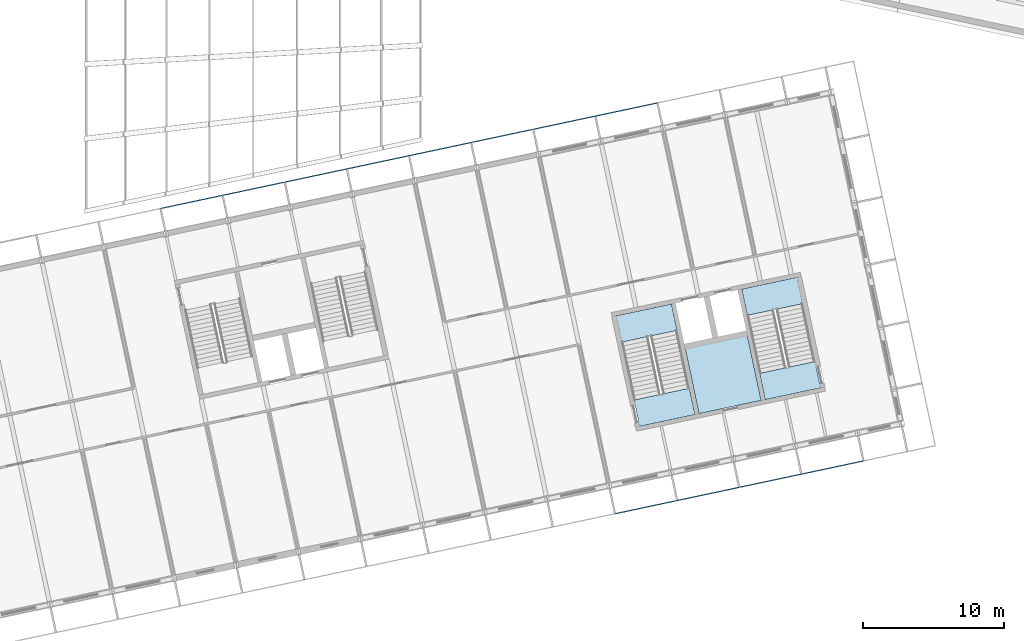
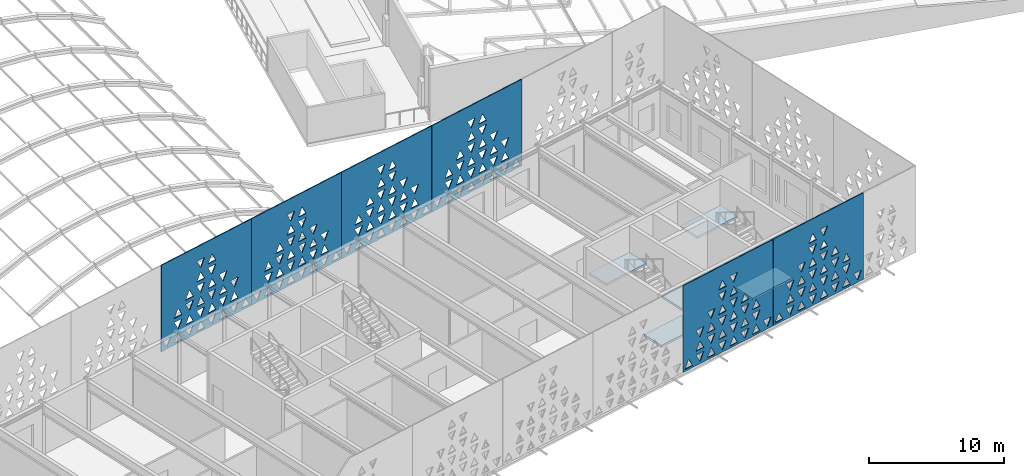
# One storey, part 110 of 196: 6 plates, 5 slabs, 2 elements without a shape of their own.
"""IFC4 building model written with IfcOpenShell, lengths in metres."""

from ifc_helpers import new_model, si_unit, direction, frame, origin, place, context, subcontext, project, spatial, polyline, outline, extrude, material, layer, layer_set, type_object, element, aggregate, save


model = new_model("IFC4")

# Units and contexts
model_context = context("Model", 3, precision=1e-05, world=origin(), true_north=direction((0.0, 1.0)))
body_context = subcontext(model_context, "Body", "Model", "MODEL_VIEW")
ifc_project = project(units=[si_unit("LENGTHUNIT", "METRE"), si_unit("AREAUNIT", "SQUARE_METRE"), si_unit("VOLUMEUNIT", "CUBIC_METRE"), si_unit("PLANEANGLEUNIT", "RADIAN"), si_unit("MASSUNIT", "GRAM", prefix="KILO")], contexts=[model_context])

# Site, building, storey
site_placement = place(None, origin())
site = spatial("IfcSite", under=ifc_project, at=site_placement, CompositionType="ELEMENT")
building_placement = place(site_placement, origin())
building = spatial("IfcBuilding", under=site, at=building_placement, Name="Okhra Congress Centre", CompositionType="ELEMENT")
storey_placement = place(building_placement, frame((0.0, 0.0, 12.0)))
storey = spatial("IfcBuildingStorey", under=building, at=storey_placement, Name="L02", CompositionType="ELEMENT", Elevation=12.0)

# Slabs
ifc_material_1 = material(Name="Concrete C30/37", Category="concrete")
ifc_layer_1 = layer(ifc_material_1, 0.199951171875)
ifc_layer_set_1 = layer_set([ifc_layer_1], Name="RC floor slab 200 REI 120 C30/37")
slab_type_1 = type_object("IfcSlabType", Name="RC floor slab 200 REI 120 C30/37", PredefinedType="FLOOR", material=ifc_layer_set_1)
slab_1_placement = place(storey_placement, frame((0.0, 0.0, -0.199951171875)))
element("IfcSlab", 1, at=slab_1_placement, inside=storey, type_object=slab_type_1, Name="Stair floor landing 5A L02", PredefinedType="FLOOR", context=body_context, shape_type="SweptSolid", body=[
    extrude(outline(polyline([(203.551513671875, 60.859130859375), (199.629150390625, 60.025390625), (199.23193359375, 61.893798828125), (203.154296875, 62.727294921875), (203.551513671875, 60.859130859375)])), origin(), (0.0, 0.0, 1.0), 0.199951171875),
])
slab_2_placement = place(storey_placement, frame((0.0, 0.0, -0.199951171875)))
element("IfcSlab", 2, at=slab_2_placement, inside=storey, type_object=slab_type_1, Name="Stair floor landing 5B L02", PredefinedType="FLOOR", context=body_context, shape_type="SweptSolid", body=[
    extrude(outline(polyline([(212.45263671875, 62.751220703125), (208.5302734375, 61.91748046875), (208.133056640625, 63.78564453125), (212.055419921875, 64.619384765625), (212.45263671875, 62.751220703125)])), origin(), (0.0, 0.0, 1.0), 0.199951171875),
])
slab_3_placement = place(storey_placement, frame((0.0, 0.0, -0.199951171875)))
element("IfcSlab", 3, at=slab_3_placement, inside=storey, type_object=slab_type_1, Name="Riser room floor 5 L02", PredefinedType="FLOOR", context=body_context, shape_type="SweptSolid", body=[
    extrude(outline(polyline([(203.8388671875, 60.92529296875), (208.24072265625, 61.861083984375), (207.263427734375, 66.458251953125), (202.86181640625, 65.522705078125), (203.8388671875, 60.92529296875)])), origin(), (0.0, 0.0, 1.0), 0.199951171875),
])

# Stair, slab
stair_type = type_object("IfcStairType", Name="Escape stair 1900 wide, 30 risers of 160.0", PredefinedType="HALF_TURN_STAIR", material=ifc_material_1)
stair_1_placement = place(storey_placement, origin())
stair_1 = element("IfcStair", 4, at=stair_1_placement, inside=storey, type_object=stair_type, Name="L02 Escape stair 5A", PredefinedType="HALF_TURN_STAIR")
ifc_layer_2 = layer(ifc_material_1, 0.199951171875)
ifc_layer_set_2 = layer_set([ifc_layer_2], Name="RC stair landing 200 C30/37")
slab_type_2 = type_object("IfcSlabType", Name="RC stair landing 200 C30/37", PredefinedType="LANDING", material=ifc_layer_set_2)
slab_4_placement = place(storey_placement, frame((0.0, 0.0, 2.199951171875)))
slab_4 = element("IfcSlab", 5, at=slab_4_placement, type_object=slab_type_2, Name="BS5A landing 1", PredefinedType="LANDING", context=body_context, shape_type="SweptSolid", body=[
    extrude(outline(polyline([(202.283203125, 66.825927734375), (198.36083984375, 65.9921875), (197.963623046875, 67.8603515625), (201.885986328125, 68.694091796875), (202.283203125, 66.825927734375)])), origin(), (0.0, 0.0, 1.0), 0.199951171875),
])
aggregate(stair_1, [slab_4])

stair_2_placement = place(storey_placement, origin())
stair_2 = element("IfcStair", 6, at=stair_2_placement, inside=storey, type_object=stair_type, Name="L02 Escape stair 5B", PredefinedType="HALF_TURN_STAIR")
slab_5_placement = place(storey_placement, frame((0.0, 0.0, 2.199951171875)))
slab_5 = element("IfcSlab", 7, at=slab_5_placement, type_object=slab_type_2, Name="BS5B landing 1", PredefinedType="LANDING", context=body_context, shape_type="SweptSolid", body=[
    extrude(outline(polyline([(211.184326171875, 68.7177734375), (207.261962890625, 67.884033203125), (206.864990234375, 69.75244140625), (210.787353515625, 70.586181640625), (211.184326171875, 68.7177734375)])), origin(), (0.0, 0.0, 1.0), 0.199951171875),
])
aggregate(stair_2, [slab_5])

# Plates
ifc_material_2 = material(Name="Fired clay terracotta rainscreen panel, deep oxide-red glaze, non-combustible", Category="masonry")
ifc_layer_3 = layer(ifc_material_2, 0.080078125)
ifc_layer_set_3 = layer_set([ifc_layer_3], Name="Terracotta screen panel 8980x7840")
plate_type = type_object("IfcPlateType", Name="Terracotta screen panel 8980x7840", PredefinedType="SHEET", material=ifc_layer_set_3)
plate_1_placement = place(storey_placement, frame((197.893310546875, 53.834228515625, 1.949951171875), z_axis=(0.0, 0.0, 1.0), x_axis=(0.978145237251, 0.207922809819, 0.0)))
element("IfcPlate", 8, at=plate_1_placement, inside=storey, type_object=plate_type, Name="Screen panel S17 Tier 2", PredefinedType="SHEET", context=body_context, shape_type="SweptSolid", body=[
    extrude(outline(polyline([(0.0, 0.0), (8.980224609375, 0.0), (8.980224609375, 7.840087890625), (0.0, 7.840087890625), (0.0, 0.0)]), holes=[polyline([(0.176513671875, 0.183837890625), (0.943603515625, 0.183837890625), (0.56005859375, 0.93603515625), (0.176513671875, 0.183837890625)]), polyline([(1.29638671875, 0.93603515625), (1.679931640625, 0.183837890625), (2.0634765625, 0.93603515625), (1.29638671875, 0.93603515625)]), polyline([(2.41650390625, 0.183837890625), (3.18359375, 0.183837890625), (2.800048828125, 0.93603515625), (2.41650390625, 0.183837890625)]), polyline([(3.536376953125, 0.93603515625), (3.919921875, 0.183837890625), (4.3037109375, 0.93603515625), (3.536376953125, 0.93603515625)]), polyline([(4.656494140625, 0.183837890625), (5.423583984375, 0.183837890625), (5.0400390625, 0.93603515625), (4.656494140625, 0.183837890625)]), polyline([(5.7763671875, 0.93603515625), (6.159912109375, 0.183837890625), (6.543701171875, 0.93603515625), (5.7763671875, 0.93603515625)]), polyline([(6.896484375, 0.183837890625), (7.66357421875, 0.183837890625), (7.280029296875, 0.93603515625), (6.896484375, 0.183837890625)]), polyline([(8.016357421875, 0.93603515625), (8.39990234375, 0.183837890625), (8.78369140625, 0.93603515625), (8.016357421875, 0.93603515625)]), polyline([(1.29638671875, 1.303955078125), (2.0634765625, 1.303955078125), (1.679931640625, 2.05615234375), (1.29638671875, 1.303955078125)]), polyline([(2.41650390625, 2.05615234375), (2.800048828125, 1.303955078125), (3.18359375, 2.05615234375), (2.41650390625, 2.05615234375)]), polyline([(3.536376953125, 1.303955078125), (4.3037109375, 1.303955078125), (3.919921875, 2.05615234375), (3.536376953125, 1.303955078125)]), polyline([(4.656494140625, 2.05615234375), (5.0400390625, 1.303955078125), (5.423583984375, 2.05615234375), (4.656494140625, 2.05615234375)]), polyline([(5.7763671875, 1.303955078125), (6.543701171875, 1.303955078125), (6.159912109375, 2.05615234375), (5.7763671875, 1.303955078125)]), polyline([(6.896484375, 2.05615234375), (7.280029296875, 1.303955078125), (7.66357421875, 2.05615234375), (6.896484375, 2.05615234375)]), polyline([(1.29638671875, 3.176025390625), (1.679931640625, 2.423828125), (2.0634765625, 3.176025390625), (1.29638671875, 3.176025390625)]), polyline([(2.41650390625, 2.423828125), (3.18359375, 2.423828125), (2.800048828125, 3.176025390625), (2.41650390625, 2.423828125)]), polyline([(3.536376953125, 3.176025390625), (3.919921875, 2.423828125), (4.3037109375, 3.176025390625), (3.536376953125, 3.176025390625)]), polyline([(4.656494140625, 2.423828125), (5.423583984375, 2.423828125), (5.0400390625, 3.176025390625), (4.656494140625, 2.423828125)]), polyline([(5.7763671875, 3.176025390625), (6.159912109375, 2.423828125), (6.543701171875, 3.176025390625), (5.7763671875, 3.176025390625)]), polyline([(6.896484375, 2.423828125), (7.66357421875, 2.423828125), (7.280029296875, 3.176025390625), (6.896484375, 2.423828125)]), polyline([(2.41650390625, 4.296142578125), (2.800048828125, 3.5439453125), (3.18359375, 4.296142578125), (2.41650390625, 4.296142578125)]), polyline([(3.536376953125, 3.5439453125), (4.3037109375, 3.5439453125), (3.919921875, 4.296142578125), (3.536376953125, 3.5439453125)]), polyline([(4.656494140625, 4.296142578125), (5.0400390625, 3.5439453125), (5.423583984375, 4.296142578125), (4.656494140625, 4.296142578125)]), polyline([(5.7763671875, 3.5439453125), (6.543701171875, 3.5439453125), (6.159912109375, 4.296142578125), (5.7763671875, 3.5439453125)]), polyline([(3.536376953125, 5.416015625), (3.919921875, 4.663818359375), (4.3037109375, 5.416015625), (3.536376953125, 5.416015625)]), polyline([(4.656494140625, 4.663818359375), (5.423583984375, 4.663818359375), (5.0400390625, 5.416015625), (4.656494140625, 4.663818359375)]), polyline([(3.536376953125, 5.783935546875), (4.3037109375, 5.783935546875), (3.919921875, 6.5361328125), (3.536376953125, 5.783935546875)]), polyline([(4.656494140625, 6.5361328125), (5.0400390625, 5.783935546875), (5.423583984375, 6.5361328125), (4.656494140625, 6.5361328125)])]), frame((0.0, 0.0400390625, 0.0), z_axis=(0.0, -1.0, 0.0), x_axis=(1.0, 0.0, 0.0)), (0.0, 0.0, 1.0), 0.080078125),
])
plate_2_placement = place(storey_placement, frame((206.69677734375, 55.70556640625, 1.949951171875), z_axis=(0.0, 0.0, 1.0), x_axis=(0.978149591018, 0.207902327047, 0.0)))
element("IfcPlate", 9, at=plate_2_placement, inside=storey, type_object=plate_type, Name="Screen panel S18 Tier 2", PredefinedType="SHEET", context=body_context, shape_type="SweptSolid", body=[
    extrude(outline(polyline([(0.0, 0.0), (8.97998046875, 0.0), (8.97998046875, 7.840087890625), (0.0, 7.840087890625), (0.0, 0.0)]), holes=[polyline([(0.176513671875, 0.183837890625), (0.943603515625, 0.183837890625), (0.56005859375, 0.93603515625), (0.176513671875, 0.183837890625)]), polyline([(1.29638671875, 0.93603515625), (1.679931640625, 0.183837890625), (2.0634765625, 0.93603515625), (1.29638671875, 0.93603515625)]), polyline([(2.41650390625, 0.183837890625), (3.18359375, 0.183837890625), (2.800048828125, 0.93603515625), (2.41650390625, 0.183837890625)]), polyline([(3.536376953125, 0.93603515625), (3.919921875, 0.183837890625), (4.3037109375, 0.93603515625), (3.536376953125, 0.93603515625)]), polyline([(4.656494140625, 0.183837890625), (5.423583984375, 0.183837890625), (5.0400390625, 0.93603515625), (4.656494140625, 0.183837890625)]), polyline([(5.7763671875, 0.93603515625), (6.159912109375, 0.183837890625), (6.543701171875, 0.93603515625), (5.7763671875, 0.93603515625)]), polyline([(6.896484375, 0.183837890625), (7.66357421875, 0.183837890625), (7.280029296875, 0.93603515625), (6.896484375, 0.183837890625)]), polyline([(8.016357421875, 0.93603515625), (8.39990234375, 0.183837890625), (8.78369140625, 0.93603515625), (8.016357421875, 0.93603515625)]), polyline([(1.29638671875, 1.303955078125), (2.0634765625, 1.303955078125), (1.679931640625, 2.05615234375), (1.29638671875, 1.303955078125)]), polyline([(2.41650390625, 2.05615234375), (2.800048828125, 1.303955078125), (3.18359375, 2.05615234375), (2.41650390625, 2.05615234375)]), polyline([(3.536376953125, 1.303955078125), (4.3037109375, 1.303955078125), (3.919921875, 2.05615234375), (3.536376953125, 1.303955078125)]), polyline([(4.656494140625, 2.05615234375), (5.0400390625, 1.303955078125), (5.423583984375, 2.05615234375), (4.656494140625, 2.05615234375)]), polyline([(5.7763671875, 1.303955078125), (6.543701171875, 1.303955078125), (6.159912109375, 2.05615234375), (5.7763671875, 1.303955078125)]), polyline([(6.896484375, 2.05615234375), (7.280029296875, 1.303955078125), (7.66357421875, 2.05615234375), (6.896484375, 2.05615234375)]), polyline([(1.29638671875, 3.176025390625), (1.679931640625, 2.423828125), (2.0634765625, 3.176025390625), (1.29638671875, 3.176025390625)]), polyline([(2.41650390625, 2.423828125), (3.18359375, 2.423828125), (2.800048828125, 3.176025390625), (2.41650390625, 2.423828125)]), polyline([(3.536376953125, 3.176025390625), (3.919921875, 2.423828125), (4.3037109375, 3.176025390625), (3.536376953125, 3.176025390625)]), polyline([(4.656494140625, 2.423828125), (5.423583984375, 2.423828125), (5.0400390625, 3.176025390625), (4.656494140625, 2.423828125)]), polyline([(5.7763671875, 3.176025390625), (6.159912109375, 2.423828125), (6.543701171875, 3.176025390625), (5.7763671875, 3.176025390625)]), polyline([(6.896484375, 2.423828125), (7.66357421875, 2.423828125), (7.280029296875, 3.176025390625), (6.896484375, 2.423828125)]), polyline([(2.41650390625, 4.296142578125), (2.800048828125, 3.5439453125), (3.18359375, 4.296142578125), (2.41650390625, 4.296142578125)]), polyline([(3.536376953125, 3.5439453125), (4.3037109375, 3.5439453125), (3.919921875, 4.296142578125), (3.536376953125, 3.5439453125)]), polyline([(4.656494140625, 4.296142578125), (5.0400390625, 3.5439453125), (5.423583984375, 4.296142578125), (4.656494140625, 4.296142578125)]), polyline([(5.7763671875, 3.5439453125), (6.543701171875, 3.5439453125), (6.159912109375, 4.296142578125), (5.7763671875, 3.5439453125)]), polyline([(3.536376953125, 5.416015625), (3.919921875, 4.663818359375), (4.3037109375, 5.416015625), (3.536376953125, 5.416015625)]), polyline([(4.656494140625, 4.663818359375), (5.423583984375, 4.663818359375), (5.0400390625, 5.416015625), (4.656494140625, 4.663818359375)]), polyline([(3.536376953125, 5.783935546875), (4.3037109375, 5.783935546875), (3.919921875, 6.5361328125), (3.536376953125, 5.783935546875)]), polyline([(4.656494140625, 6.5361328125), (5.0400390625, 5.783935546875), (5.423583984375, 6.5361328125), (4.656494140625, 6.5361328125)])]), frame((0.0, 0.0400390625, 0.0), z_axis=(0.0, -1.0, 0.0), x_axis=(1.0, 0.0, 0.0)), (0.0, 0.0, 1.0), 0.080078125),
])
plate_3_placement = place(storey_placement, frame((200.88671875, 82.942626953125, 1.949951171875), z_axis=(0.0, 0.0, 1.0), x_axis=(-0.978149591018, -0.207902327047, 0.0)))
element("IfcPlate", 10, at=plate_3_placement, inside=storey, type_object=plate_type, Name="Screen panel N3 Tier 2", PredefinedType="SHEET", context=body_context, shape_type="SweptSolid", body=[
    extrude(outline(polyline([(0.0, 0.0), (8.97998046875, 0.0), (8.97998046875, 7.840087890625), (0.0, 7.840087890625), (0.0, 0.0)]), holes=[polyline([(0.176513671875, 0.183837890625), (0.943603515625, 0.183837890625), (0.56005859375, 0.93603515625), (0.176513671875, 0.183837890625)]), polyline([(1.29638671875, 0.93603515625), (1.679931640625, 0.183837890625), (2.0634765625, 0.93603515625), (1.29638671875, 0.93603515625)]), polyline([(2.41650390625, 0.183837890625), (3.18359375, 0.183837890625), (2.800048828125, 0.93603515625), (2.41650390625, 0.183837890625)]), polyline([(3.536376953125, 0.93603515625), (3.919921875, 0.183837890625), (4.3037109375, 0.93603515625), (3.536376953125, 0.93603515625)]), polyline([(4.656494140625, 0.183837890625), (5.423583984375, 0.183837890625), (5.0400390625, 0.93603515625), (4.656494140625, 0.183837890625)]), polyline([(5.7763671875, 0.93603515625), (6.159912109375, 0.183837890625), (6.543701171875, 0.93603515625), (5.7763671875, 0.93603515625)]), polyline([(6.896484375, 0.183837890625), (7.66357421875, 0.183837890625), (7.280029296875, 0.93603515625), (6.896484375, 0.183837890625)]), polyline([(8.016357421875, 0.93603515625), (8.39990234375, 0.183837890625), (8.78369140625, 0.93603515625), (8.016357421875, 0.93603515625)]), polyline([(1.29638671875, 1.303955078125), (2.0634765625, 1.303955078125), (1.679931640625, 2.05615234375), (1.29638671875, 1.303955078125)]), polyline([(2.41650390625, 2.05615234375), (2.800048828125, 1.303955078125), (3.18359375, 2.05615234375), (2.41650390625, 2.05615234375)]), polyline([(3.536376953125, 1.303955078125), (4.3037109375, 1.303955078125), (3.919921875, 2.05615234375), (3.536376953125, 1.303955078125)]), polyline([(4.656494140625, 2.05615234375), (5.0400390625, 1.303955078125), (5.423583984375, 2.05615234375), (4.656494140625, 2.05615234375)]), polyline([(5.7763671875, 1.303955078125), (6.543701171875, 1.303955078125), (6.159912109375, 2.05615234375), (5.7763671875, 1.303955078125)]), polyline([(6.896484375, 2.05615234375), (7.280029296875, 1.303955078125), (7.66357421875, 2.05615234375), (6.896484375, 2.05615234375)]), polyline([(1.29638671875, 3.176025390625), (1.679931640625, 2.423828125), (2.0634765625, 3.176025390625), (1.29638671875, 3.176025390625)]), polyline([(2.41650390625, 2.423828125), (3.18359375, 2.423828125), (2.800048828125, 3.176025390625), (2.41650390625, 2.423828125)]), polyline([(3.536376953125, 3.176025390625), (3.919921875, 2.423828125), (4.3037109375, 3.176025390625), (3.536376953125, 3.176025390625)]), polyline([(4.656494140625, 2.423828125), (5.423583984375, 2.423828125), (5.0400390625, 3.176025390625), (4.656494140625, 2.423828125)]), polyline([(5.7763671875, 3.176025390625), (6.159912109375, 2.423828125), (6.543701171875, 3.176025390625), (5.7763671875, 3.176025390625)]), polyline([(6.896484375, 2.423828125), (7.66357421875, 2.423828125), (7.280029296875, 3.176025390625), (6.896484375, 2.423828125)]), polyline([(2.41650390625, 4.296142578125), (2.800048828125, 3.5439453125), (3.18359375, 4.296142578125), (2.41650390625, 4.296142578125)]), polyline([(3.536376953125, 3.5439453125), (4.3037109375, 3.5439453125), (3.919921875, 4.296142578125), (3.536376953125, 3.5439453125)]), polyline([(4.656494140625, 4.296142578125), (5.0400390625, 3.5439453125), (5.423583984375, 4.296142578125), (4.656494140625, 4.296142578125)]), polyline([(5.7763671875, 3.5439453125), (6.543701171875, 3.5439453125), (6.159912109375, 4.296142578125), (5.7763671875, 3.5439453125)]), polyline([(3.536376953125, 5.416015625), (3.919921875, 4.663818359375), (4.3037109375, 5.416015625), (3.536376953125, 5.416015625)]), polyline([(4.656494140625, 4.663818359375), (5.423583984375, 4.663818359375), (5.0400390625, 5.416015625), (4.656494140625, 4.663818359375)]), polyline([(3.536376953125, 5.783935546875), (4.3037109375, 5.783935546875), (3.919921875, 6.5361328125), (3.536376953125, 5.783935546875)]), polyline([(4.656494140625, 6.5361328125), (5.0400390625, 5.783935546875), (5.423583984375, 6.5361328125), (4.656494140625, 6.5361328125)])]), frame((0.0, 0.0400390625, 0.0), z_axis=(0.0, -1.0, 0.0), x_axis=(1.0, 0.0, 0.0)), (0.0, 0.0, 1.0), 0.080078125),
])
plate_4_placement = place(storey_placement, frame((192.08349609375, 81.071533203125, 1.949951171875), z_axis=(0.0, 0.0, 1.0), x_axis=(-0.978144061878, -0.207928339131, 0.0)))
element("IfcPlate", 11, at=plate_4_placement, inside=storey, type_object=plate_type, Name="Screen panel N4 Tier 2", PredefinedType="SHEET", context=body_context, shape_type="SweptSolid", body=[
    extrude(outline(polyline([(0.0, 0.0), (8.97998046875, 0.0), (8.97998046875, 7.840087890625), (0.0, 7.840087890625), (0.0, 0.0)]), holes=[polyline([(0.176513671875, 0.183837890625), (0.943603515625, 0.183837890625), (0.56005859375, 0.93603515625), (0.176513671875, 0.183837890625)]), polyline([(1.29638671875, 0.93603515625), (1.679931640625, 0.183837890625), (2.0634765625, 0.93603515625), (1.29638671875, 0.93603515625)]), polyline([(2.41650390625, 0.183837890625), (3.18359375, 0.183837890625), (2.800048828125, 0.93603515625), (2.41650390625, 0.183837890625)]), polyline([(3.536376953125, 0.93603515625), (3.919921875, 0.183837890625), (4.3037109375, 0.93603515625), (3.536376953125, 0.93603515625)]), polyline([(4.656494140625, 0.183837890625), (5.423583984375, 0.183837890625), (5.0400390625, 0.93603515625), (4.656494140625, 0.183837890625)]), polyline([(5.7763671875, 0.93603515625), (6.159912109375, 0.183837890625), (6.543701171875, 0.93603515625), (5.7763671875, 0.93603515625)]), polyline([(6.896484375, 0.183837890625), (7.66357421875, 0.183837890625), (7.280029296875, 0.93603515625), (6.896484375, 0.183837890625)]), polyline([(8.016357421875, 0.93603515625), (8.39990234375, 0.183837890625), (8.78369140625, 0.93603515625), (8.016357421875, 0.93603515625)]), polyline([(1.29638671875, 1.303955078125), (2.0634765625, 1.303955078125), (1.679931640625, 2.05615234375), (1.29638671875, 1.303955078125)]), polyline([(2.41650390625, 2.05615234375), (2.800048828125, 1.303955078125), (3.18359375, 2.05615234375), (2.41650390625, 2.05615234375)]), polyline([(3.536376953125, 1.303955078125), (4.3037109375, 1.303955078125), (3.919921875, 2.05615234375), (3.536376953125, 1.303955078125)]), polyline([(4.656494140625, 2.05615234375), (5.0400390625, 1.303955078125), (5.423583984375, 2.05615234375), (4.656494140625, 2.05615234375)]), polyline([(5.7763671875, 1.303955078125), (6.543701171875, 1.303955078125), (6.159912109375, 2.05615234375), (5.7763671875, 1.303955078125)]), polyline([(6.896484375, 2.05615234375), (7.280029296875, 1.303955078125), (7.66357421875, 2.05615234375), (6.896484375, 2.05615234375)]), polyline([(1.29638671875, 3.176025390625), (1.679931640625, 2.423828125), (2.0634765625, 3.176025390625), (1.29638671875, 3.176025390625)]), polyline([(2.41650390625, 2.423828125), (3.18359375, 2.423828125), (2.800048828125, 3.176025390625), (2.41650390625, 2.423828125)]), polyline([(3.536376953125, 3.176025390625), (3.919921875, 2.423828125), (4.3037109375, 3.176025390625), (3.536376953125, 3.176025390625)]), polyline([(4.656494140625, 2.423828125), (5.423583984375, 2.423828125), (5.0400390625, 3.176025390625), (4.656494140625, 2.423828125)]), polyline([(5.7763671875, 3.176025390625), (6.159912109375, 2.423828125), (6.543701171875, 3.176025390625), (5.7763671875, 3.176025390625)]), polyline([(6.896484375, 2.423828125), (7.66357421875, 2.423828125), (7.280029296875, 3.176025390625), (6.896484375, 2.423828125)]), polyline([(2.41650390625, 4.296142578125), (2.800048828125, 3.5439453125), (3.18359375, 4.296142578125), (2.41650390625, 4.296142578125)]), polyline([(3.536376953125, 3.5439453125), (4.3037109375, 3.5439453125), (3.919921875, 4.296142578125), (3.536376953125, 3.5439453125)]), polyline([(4.656494140625, 4.296142578125), (5.0400390625, 3.5439453125), (5.423583984375, 4.296142578125), (4.656494140625, 4.296142578125)]), polyline([(5.7763671875, 3.5439453125), (6.543701171875, 3.5439453125), (6.159912109375, 4.296142578125), (5.7763671875, 3.5439453125)]), polyline([(3.536376953125, 5.416015625), (3.919921875, 4.663818359375), (4.3037109375, 5.416015625), (3.536376953125, 5.416015625)]), polyline([(4.656494140625, 4.663818359375), (5.423583984375, 4.663818359375), (5.0400390625, 5.416015625), (4.656494140625, 4.663818359375)]), polyline([(3.536376953125, 5.783935546875), (4.3037109375, 5.783935546875), (3.919921875, 6.5361328125), (3.536376953125, 5.783935546875)]), polyline([(4.656494140625, 6.5361328125), (5.0400390625, 5.783935546875), (5.423583984375, 6.5361328125), (4.656494140625, 6.5361328125)])]), frame((0.0, 0.0400390625, 0.0), z_axis=(0.0, -1.0, 0.0), x_axis=(1.0, 0.0, 0.0)), (0.0, 0.0, 1.0), 0.080078125),
])
plate_5_placement = place(storey_placement, frame((183.2802734375, 79.2001953125, 1.949951171875), z_axis=(0.0, 0.0, 1.0), x_axis=(-0.978150766104, -0.207896798366, 0.0)))
element("IfcPlate", 12, at=plate_5_placement, inside=storey, type_object=plate_type, Name="Screen panel N5 Tier 2", PredefinedType="SHEET", context=body_context, shape_type="SweptSolid", body=[
    extrude(outline(polyline([(0.0, 0.0), (8.980224609375, 0.0), (8.980224609375, 7.840087890625), (0.0, 7.840087890625), (0.0, 0.0)]), holes=[polyline([(0.176513671875, 0.183837890625), (0.943603515625, 0.183837890625), (0.56005859375, 0.93603515625), (0.176513671875, 0.183837890625)]), polyline([(1.29638671875, 0.93603515625), (1.679931640625, 0.183837890625), (2.0634765625, 0.93603515625), (1.29638671875, 0.93603515625)]), polyline([(2.41650390625, 0.183837890625), (3.18359375, 0.183837890625), (2.800048828125, 0.93603515625), (2.41650390625, 0.183837890625)]), polyline([(3.536376953125, 0.93603515625), (3.919921875, 0.183837890625), (4.3037109375, 0.93603515625), (3.536376953125, 0.93603515625)]), polyline([(4.656494140625, 0.183837890625), (5.423583984375, 0.183837890625), (5.0400390625, 0.93603515625), (4.656494140625, 0.183837890625)]), polyline([(5.7763671875, 0.93603515625), (6.159912109375, 0.183837890625), (6.543701171875, 0.93603515625), (5.7763671875, 0.93603515625)]), polyline([(6.896484375, 0.183837890625), (7.66357421875, 0.183837890625), (7.280029296875, 0.93603515625), (6.896484375, 0.183837890625)]), polyline([(8.016357421875, 0.93603515625), (8.39990234375, 0.183837890625), (8.78369140625, 0.93603515625), (8.016357421875, 0.93603515625)]), polyline([(1.29638671875, 1.303955078125), (2.0634765625, 1.303955078125), (1.679931640625, 2.05615234375), (1.29638671875, 1.303955078125)]), polyline([(2.41650390625, 2.05615234375), (2.800048828125, 1.303955078125), (3.18359375, 2.05615234375), (2.41650390625, 2.05615234375)]), polyline([(3.536376953125, 1.303955078125), (4.3037109375, 1.303955078125), (3.919921875, 2.05615234375), (3.536376953125, 1.303955078125)]), polyline([(4.656494140625, 2.05615234375), (5.0400390625, 1.303955078125), (5.423583984375, 2.05615234375), (4.656494140625, 2.05615234375)]), polyline([(5.7763671875, 1.303955078125), (6.543701171875, 1.303955078125), (6.159912109375, 2.05615234375), (5.7763671875, 1.303955078125)]), polyline([(6.896484375, 2.05615234375), (7.280029296875, 1.303955078125), (7.66357421875, 2.05615234375), (6.896484375, 2.05615234375)]), polyline([(1.29638671875, 3.176025390625), (1.679931640625, 2.423828125), (2.0634765625, 3.176025390625), (1.29638671875, 3.176025390625)]), polyline([(2.41650390625, 2.423828125), (3.18359375, 2.423828125), (2.800048828125, 3.176025390625), (2.41650390625, 2.423828125)]), polyline([(3.536376953125, 3.176025390625), (3.919921875, 2.423828125), (4.3037109375, 3.176025390625), (3.536376953125, 3.176025390625)]), polyline([(4.656494140625, 2.423828125), (5.423583984375, 2.423828125), (5.0400390625, 3.176025390625), (4.656494140625, 2.423828125)]), polyline([(5.7763671875, 3.176025390625), (6.159912109375, 2.423828125), (6.543701171875, 3.176025390625), (5.7763671875, 3.176025390625)]), polyline([(6.896484375, 2.423828125), (7.66357421875, 2.423828125), (7.280029296875, 3.176025390625), (6.896484375, 2.423828125)]), polyline([(2.41650390625, 4.296142578125), (2.800048828125, 3.5439453125), (3.18359375, 4.296142578125), (2.41650390625, 4.296142578125)]), polyline([(3.536376953125, 3.5439453125), (4.3037109375, 3.5439453125), (3.919921875, 4.296142578125), (3.536376953125, 3.5439453125)]), polyline([(4.656494140625, 4.296142578125), (5.0400390625, 3.5439453125), (5.423583984375, 4.296142578125), (4.656494140625, 4.296142578125)]), polyline([(5.7763671875, 3.5439453125), (6.543701171875, 3.5439453125), (6.159912109375, 4.296142578125), (5.7763671875, 3.5439453125)]), polyline([(3.536376953125, 5.416015625), (3.919921875, 4.663818359375), (4.3037109375, 5.416015625), (3.536376953125, 5.416015625)]), polyline([(4.656494140625, 4.663818359375), (5.423583984375, 4.663818359375), (5.0400390625, 5.416015625), (4.656494140625, 4.663818359375)]), polyline([(3.536376953125, 5.783935546875), (4.3037109375, 5.783935546875), (3.919921875, 6.5361328125), (3.536376953125, 5.783935546875)]), polyline([(4.656494140625, 6.5361328125), (5.0400390625, 5.783935546875), (5.423583984375, 6.5361328125), (4.656494140625, 6.5361328125)])]), frame((0.0, 0.0400390625, 0.0), z_axis=(0.0, -1.0, 0.0), x_axis=(1.0, 0.0, 0.0)), (0.0, 0.0, 1.0), 0.080078125),
])
plate_6_placement = place(storey_placement, frame((174.476806640625, 77.3291015625, 1.949951171875), z_axis=(0.0, 0.0, 1.0), x_axis=(-0.978149591018, -0.207902327047, 0.0)))
element("IfcPlate", 13, at=plate_6_placement, inside=storey, type_object=plate_type, Name="Screen panel N6 Tier 2", PredefinedType="SHEET", context=body_context, shape_type="SweptSolid", body=[
    extrude(outline(polyline([(0.0, 0.0), (8.97998046875, 0.0), (8.97998046875, 7.840087890625), (0.0, 7.840087890625), (0.0, 0.0)]), holes=[polyline([(0.176513671875, 0.183837890625), (0.943603515625, 0.183837890625), (0.56005859375, 0.93603515625), (0.176513671875, 0.183837890625)]), polyline([(1.29638671875, 0.93603515625), (1.679931640625, 0.183837890625), (2.0634765625, 0.93603515625), (1.29638671875, 0.93603515625)]), polyline([(2.41650390625, 0.183837890625), (3.18359375, 0.183837890625), (2.800048828125, 0.93603515625), (2.41650390625, 0.183837890625)]), polyline([(3.536376953125, 0.93603515625), (3.919921875, 0.183837890625), (4.3037109375, 0.93603515625), (3.536376953125, 0.93603515625)]), polyline([(4.656494140625, 0.183837890625), (5.423583984375, 0.183837890625), (5.0400390625, 0.93603515625), (4.656494140625, 0.183837890625)]), polyline([(5.7763671875, 0.93603515625), (6.159912109375, 0.183837890625), (6.543701171875, 0.93603515625), (5.7763671875, 0.93603515625)]), polyline([(6.896484375, 0.183837890625), (7.66357421875, 0.183837890625), (7.280029296875, 0.93603515625), (6.896484375, 0.183837890625)]), polyline([(8.016357421875, 0.93603515625), (8.39990234375, 0.183837890625), (8.78369140625, 0.93603515625), (8.016357421875, 0.93603515625)]), polyline([(1.29638671875, 1.303955078125), (2.0634765625, 1.303955078125), (1.679931640625, 2.05615234375), (1.29638671875, 1.303955078125)]), polyline([(2.41650390625, 2.05615234375), (2.800048828125, 1.303955078125), (3.18359375, 2.05615234375), (2.41650390625, 2.05615234375)]), polyline([(3.536376953125, 1.303955078125), (4.3037109375, 1.303955078125), (3.919921875, 2.05615234375), (3.536376953125, 1.303955078125)]), polyline([(4.656494140625, 2.05615234375), (5.0400390625, 1.303955078125), (5.423583984375, 2.05615234375), (4.656494140625, 2.05615234375)]), polyline([(5.7763671875, 1.303955078125), (6.543701171875, 1.303955078125), (6.159912109375, 2.05615234375), (5.7763671875, 1.303955078125)]), polyline([(6.896484375, 2.05615234375), (7.280029296875, 1.303955078125), (7.66357421875, 2.05615234375), (6.896484375, 2.05615234375)]), polyline([(1.29638671875, 3.176025390625), (1.679931640625, 2.423828125), (2.0634765625, 3.176025390625), (1.29638671875, 3.176025390625)]), polyline([(2.41650390625, 2.423828125), (3.18359375, 2.423828125), (2.800048828125, 3.176025390625), (2.41650390625, 2.423828125)]), polyline([(3.536376953125, 3.176025390625), (3.919921875, 2.423828125), (4.3037109375, 3.176025390625), (3.536376953125, 3.176025390625)]), polyline([(4.656494140625, 2.423828125), (5.423583984375, 2.423828125), (5.0400390625, 3.176025390625), (4.656494140625, 2.423828125)]), polyline([(5.7763671875, 3.176025390625), (6.159912109375, 2.423828125), (6.543701171875, 3.176025390625), (5.7763671875, 3.176025390625)]), polyline([(6.896484375, 2.423828125), (7.66357421875, 2.423828125), (7.280029296875, 3.176025390625), (6.896484375, 2.423828125)]), polyline([(2.41650390625, 4.296142578125), (2.800048828125, 3.5439453125), (3.18359375, 4.296142578125), (2.41650390625, 4.296142578125)]), polyline([(3.536376953125, 3.5439453125), (4.3037109375, 3.5439453125), (3.919921875, 4.296142578125), (3.536376953125, 3.5439453125)]), polyline([(4.656494140625, 4.296142578125), (5.0400390625, 3.5439453125), (5.423583984375, 4.296142578125), (4.656494140625, 4.296142578125)]), polyline([(5.7763671875, 3.5439453125), (6.543701171875, 3.5439453125), (6.159912109375, 4.296142578125), (5.7763671875, 3.5439453125)]), polyline([(3.536376953125, 5.416015625), (3.919921875, 4.663818359375), (4.3037109375, 5.416015625), (3.536376953125, 5.416015625)]), polyline([(4.656494140625, 4.663818359375), (5.423583984375, 4.663818359375), (5.0400390625, 5.416015625), (4.656494140625, 4.663818359375)]), polyline([(3.536376953125, 5.783935546875), (4.3037109375, 5.783935546875), (3.919921875, 6.5361328125), (3.536376953125, 5.783935546875)]), polyline([(4.656494140625, 6.5361328125), (5.0400390625, 5.783935546875), (5.423583984375, 6.5361328125), (4.656494140625, 6.5361328125)])]), frame((0.0, 0.0400390625, 0.0), z_axis=(0.0, -1.0, 0.0), x_axis=(1.0, 0.0, 0.0)), (0.0, 0.0, 1.0), 0.080078125),
])

save(model, "model.ifc")
